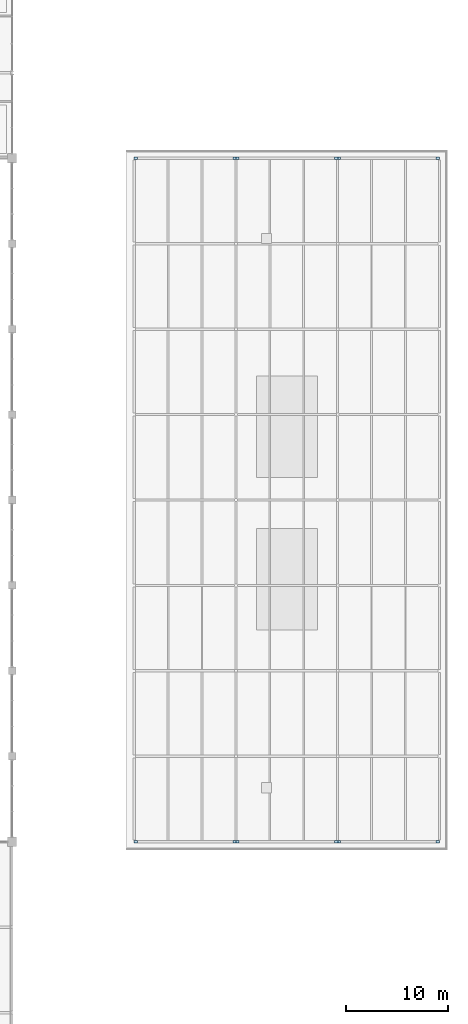
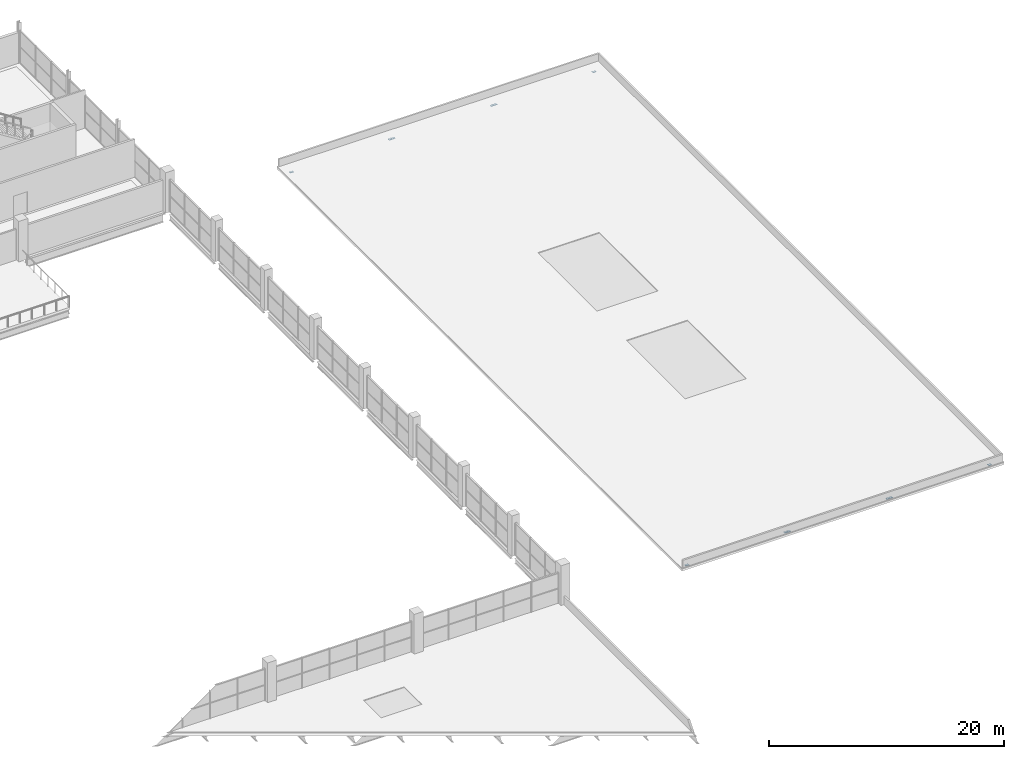
# One storey, part 76 of 93: 12 plates.
"""IFC4 building model written with IfcOpenShell, lengths in metres."""

from ifc_helpers import new_model, si_unit, direction, frame, origin, origin_2d, place, context, subcontext, project, spatial, rectangle, extrude, material, layer, layer_set, type_object, element, save


model = new_model("IFC4")

# Units and contexts
model_context = context("Model", 3, precision=1e-05, world=origin(), true_north=direction((0.0, 1.0)))
body_context = subcontext(model_context, "Body", "Model", "MODEL_VIEW")
ifc_project = project(units=[si_unit("LENGTHUNIT", "METRE"), si_unit("AREAUNIT", "SQUARE_METRE"), si_unit("VOLUMEUNIT", "CUBIC_METRE"), si_unit("PLANEANGLEUNIT", "RADIAN"), si_unit("MASSUNIT", "GRAM", prefix="KILO"), si_unit("THERMODYNAMICTEMPERATUREUNIT", "KELVIN")], contexts=[model_context])

# Site, building, storey
site_placement = place(None, origin())
site = spatial("IfcSite", under=ifc_project, at=site_placement, CompositionType="ELEMENT")
building_placement = place(site_placement, origin())
building = spatial("IfcBuilding", under=site, at=building_placement, Name="Nduvali Passage Aquatics Centre", CompositionType="ELEMENT")
storey_placement = place(building_placement, frame((0.0, 0.0, 9.0)))
storey = spatial("IfcBuildingStorey", under=building, at=storey_placement, Name="L02", CompositionType="ELEMENT", Elevation=9.0)

# Plates
ifc_material = material(Name="Steel S355", Category="steel")
ifc_layer = layer(ifc_material, 0.01611328125, Name="Steel S355")
ifc_layer_set = layer_set([ifc_layer], Name="Steel S355")
plate_type = type_object("IfcPlateType", Name="STR-PLT-CAP4", PredefinedType="SHEET", material=ifc_layer_set)
for number, where, z_axis, x_axis, name in (
    (1, (138.14990234375, 25.199951171875, -0.382080078125), (0.0, 0.0, 1.0), (1.0, 0.0, 0.0), "L02 Hollow Spandrel End-Cap Plate 0177"),
    (2, (147.860107421875, 25.199951171875, -0.382080078125), (0.0, 0.0, 1.0), (1.0, 0.0, 0.0), "L02 Hollow Spandrel End-Cap Plate 0178"),
    (3, (148.139892578125, 25.199951171875, -0.382080078125), (0.0, 0.0, 1.0), (1.0, 0.0, 0.0), "L02 Hollow Spandrel End-Cap Plate 0179"),
    (4, (157.871826171875, 25.199951171875, -0.382080078125), (0.0, 0.0, 1.0), (1.0, 0.0, 0.0), "L02 Hollow Spandrel End-Cap Plate 0180"),
    (5, (158.128173828125, 25.199951171875, -0.382080078125), (0.0, 0.0, 1.0), (1.0, 0.0, 0.0), "L02 Hollow Spandrel End-Cap Plate 0181"),
    (6, (167.85009765625, 25.199951171875, -0.382080078125), (0.0, 0.0, 1.0), (1.0, 0.0, 0.0), "L02 Hollow Spandrel End-Cap Plate 0182"),
    (7, (138.14990234375, 92.39990234375, -0.382080078125), (0.0, 0.0, 1.0), (1.0, 0.0, 0.0), "L02 Hollow Spandrel End-Cap Plate 0183"),
    (8, (147.860107421875, 92.39990234375, -0.382080078125), (0.0, 0.0, 1.0), (1.0, 0.0, 0.0), "L02 Hollow Spandrel End-Cap Plate 0184"),
    (9, (148.139892578125, 92.39990234375, -0.382080078125), (0.0, 0.0, 1.0), (1.0, 0.0, 0.0), "L02 Hollow Spandrel End-Cap Plate 0185"),
    (10, (157.871826171875, 92.39990234375, -0.382080078125), (0.0, 0.0, 1.0), (1.0, 0.0, 0.0), "L02 Hollow Spandrel End-Cap Plate 0186"),
    (11, (158.128173828125, 92.39990234375, -0.382080078125), (0.0, 0.0, 1.0), (1.0, 0.0, 0.0), "L02 Hollow Spandrel End-Cap Plate 0187"),
    (12, (167.85009765625, 92.39990234375, -0.382080078125), (0.0, 0.0, 1.0), (1.0, 0.0, 0.0), "L02 Hollow Spandrel End-Cap Plate 0188"),
):
    element("IfcPlate", number, at=place(storey_placement, frame(where, z_axis=z_axis, x_axis=x_axis)), inside=storey, type_object=plate_type, Name=name, PredefinedType="SHEET", context=body_context, shape_type="SweptSolid", body=[
        extrude(rectangle(XDim=0.320068359375, YDim=0.219970703125, at=origin_2d()), origin(), (0.0, 0.0, 1.0), 0.01611328125),
    ])

save(model, "model.ifc")
